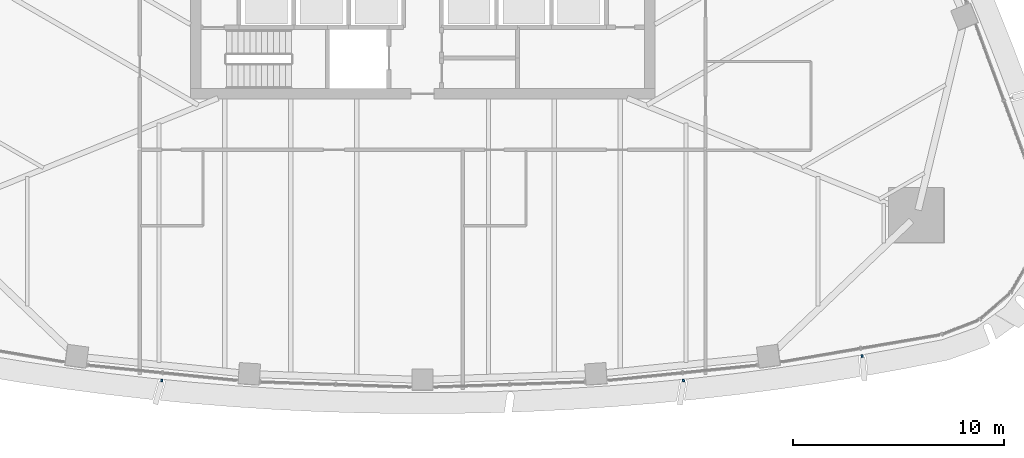
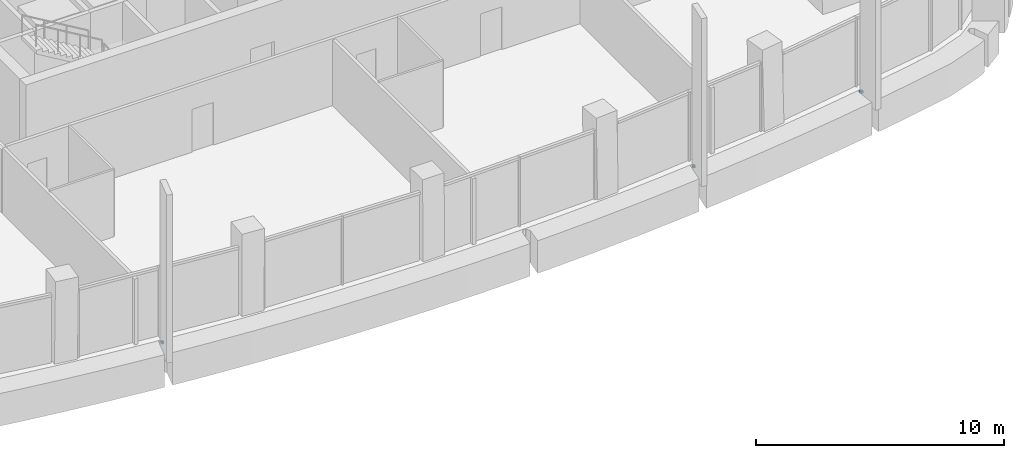
# One storey, part 13 of 19: 3 discrete accessories.
"""IFC4 building model written with IfcOpenShell, lengths in metres."""

from ifc_helpers import new_model, si_unit, direction, frame, origin, origin_2d, place, context, subcontext, project, spatial, rectangle, extrude, material, type_object, element, save


model = new_model("IFC4")

# Units and contexts
model_context = context("Model", 3, precision=1e-05, world=origin(), true_north=direction((0.0, 1.0)))
body_context = subcontext(model_context, "Body", "Model", "MODEL_VIEW")
ifc_project = project(units=[si_unit("LENGTHUNIT", "METRE"), si_unit("AREAUNIT", "SQUARE_METRE"), si_unit("VOLUMEUNIT", "CUBIC_METRE"), si_unit("PLANEANGLEUNIT", "RADIAN"), si_unit("MASSUNIT", "GRAM", prefix="KILO")], contexts=[model_context])

# Site, building, storey
site_placement = place(None, origin())
site = spatial("IfcSite", under=ifc_project, at=site_placement, CompositionType="ELEMENT")
building_placement = place(site_placement, origin())
building = spatial("IfcBuilding", under=site, at=building_placement, Name="Sierra Prisma Convention Tower", CompositionType="ELEMENT")
storey_placement = place(building_placement, frame((0.0, 0.0, 185.800048828125)))
storey = spatial("IfcBuildingStorey", under=building, at=storey_placement, Name="L41", CompositionType="ELEMENT", Elevation=185.800048828125)

# Discrete accessories
ifc_material = material(Name="Stainless steel 316", Category="steel")
discrete_accessory_type = type_object("IfcDiscreteAccessoryType", Name="Fin bracket", PredefinedType="BRACKET", material=ifc_material)
for number, where, z_axis, x_axis, name in (
    (1, (-12.35595703125, -21.33056640625, -0.135009765625), (0.0, 0.0, 1.0), (-0.097257789708, -0.995259223691, 0.0), "Fin bracket L41.5 base"),
    (2, (12.35595703125, -21.33056640625, -0.135009765625), (0.0, 0.0, 1.0), (0.097257789708, -0.995259223691, 0.0), "Fin bracket L41.14 base"),
    (3, (20.81982421875, -20.1728515625, -0.135009765625), (0.0, 0.0, 1.0), (0.177640456851, -0.984095456798, 0.0), "Fin bracket L41.17 base"),
):
    element("IfcDiscreteAccessory", number, at=place(storey_placement, frame(where, z_axis=z_axis, x_axis=x_axis)), inside=storey, type_object=discrete_accessory_type, Name=name, PredefinedType="BRACKET", context=body_context, shape_type="SweptSolid", body=[
        extrude(rectangle(XDim=0.1201171875, YDim=0.10009765625, at=origin_2d()), origin(), (0.0, 0.0, 1.0), 0.1201171875),
    ])

save(model, "model.ifc")
